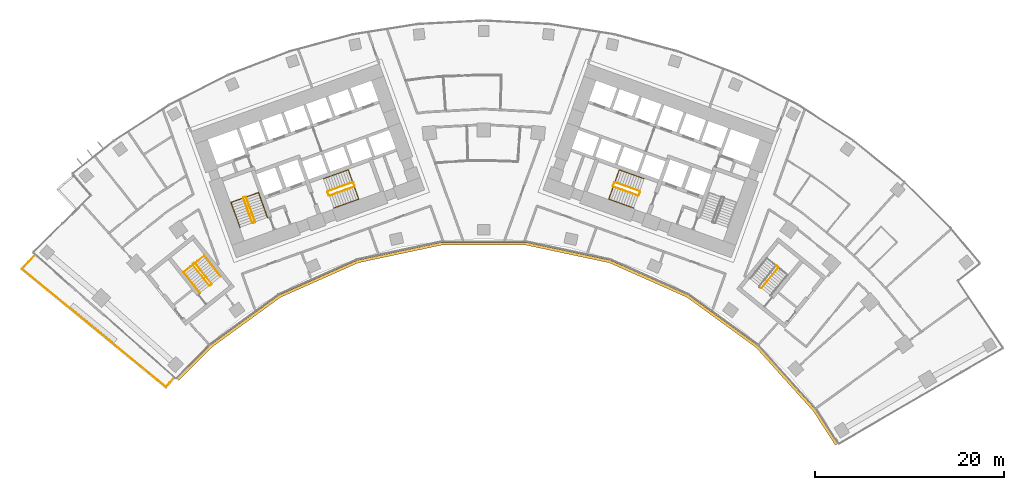
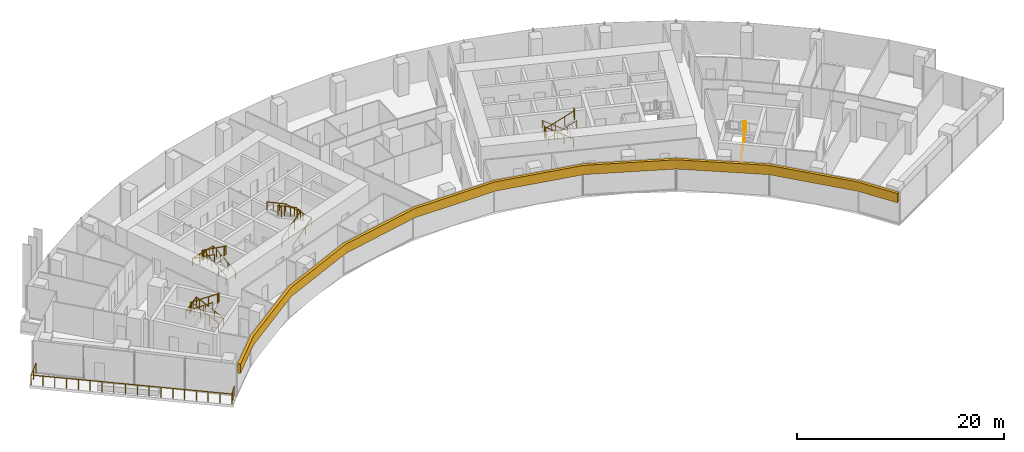
# One storey, part 20 of 21: 14 railings, 1 covering.
"""IFC4 building model written with IfcOpenShell, lengths in metres."""

from ifc_helpers import new_model, si_unit, direction, frame, origin, origin_2d, place, context, subcontext, project, spatial, polyline, circle, outline, extrude, material, layer, layer_set, type_object, element, save


model = new_model("IFC4")

# Units and contexts
model_context = context("Model", 3, precision=1e-05, world=origin(), true_north=direction((0.0, 1.0)))
body_context = subcontext(model_context, "Body", "Model", "MODEL_VIEW")
ifc_project = project(units=[si_unit("LENGTHUNIT", "METRE"), si_unit("AREAUNIT", "SQUARE_METRE"), si_unit("VOLUMEUNIT", "CUBIC_METRE"), si_unit("PLANEANGLEUNIT", "RADIAN"), si_unit("MASSUNIT", "GRAM", prefix="KILO")], contexts=[model_context])

# Site, building, storey
site_placement = place(None, origin())
site = spatial("IfcSite", under=ifc_project, at=site_placement, CompositionType="ELEMENT")
building_placement = place(site_placement, origin())
building = spatial("IfcBuilding", under=site, at=building_placement, Name="Stone Belt Terrace Tower", CompositionType="ELEMENT")
storey_placement = place(building_placement, frame((0.0, 0.0, 113.60009765625)))
storey = spatial("IfcBuildingStorey", under=building, at=storey_placement, Name="L27", CompositionType="ELEMENT", Elevation=113.60009765625)

# Railings
ifc_material_1 = material(Name="Structural steel C345", Category="steel")
railing_type_1 = type_object("IfcRailingType", Name="Stair guard 1100", PredefinedType="GUARDRAIL", material=ifc_material_1)
railing_1_placement = place(storey_placement, frame((-24.2119140625, 45.276123046875, 0.172607421875)))
element("IfcRailing", 1, at=railing_1_placement, inside=storey, type_object=railing_type_1, Name="L27 ST1A stair guard 1", PredefinedType="GUARDRAIL", context=body_context, shape_type="SweptSolid", body=[
    extrude(circle(Radius=0.02392578125, at=origin_2d()), frame((0.0, 0.0, 1.076171875), z_axis=(-0.288228637646, 0.800791768495, 0.525030280985), x_axis=(-0.940908529223, -0.338660803216, 0.0)), (0.0, 0.0, 1.0), 3.289794921875),
    extrude(circle(Radius=0.02392578125, at=origin_2d()), frame((-0.9482421875, 2.634521484375, 2.80322265625), z_axis=(-0.905209821074, 0.424964916, 0.0), x_axis=(-0.424964916, -0.905209821074, 0.0)), (0.0, 0.0, 1.0), 0.070556640625),
    extrude(circle(Radius=0.02392578125, at=origin_2d()), frame((-1.01220703125, 2.66455078125, 2.80322265625), z_axis=(-0.941105063269, -0.338114270461, 0.0), x_axis=(0.338114270461, -0.941105063269, 0.0)), (0.0, 0.0, 1.0), 0.199951171875),
    extrude(circle(Radius=0.02099609375, at=origin_2d()), origin(), (0.0, 0.0, 1.0), 1.052001953125),
    extrude(circle(Radius=0.02099609375, at=origin_2d()), frame((-0.316162109375, 0.878173828125, 0.57568359375)), (0.0, 0.0, 1.0), 1.052001953125),
    extrude(circle(Radius=0.02099609375, at=origin_2d()), frame((-0.632080078125, 1.75634765625, 1.151611328125)), (0.0, 0.0, 1.0), 1.052001953125),
    extrude(circle(Radius=0.02099609375, at=origin_2d()), frame((-0.9482421875, 2.634521484375, 1.727294921875)), (0.0, 0.0, 1.0), 1.052001953125),
    extrude(circle(Radius=0.02099609375, at=origin_2d()), frame((-1.01220703125, 2.66455078125, 1.727294921875)), (0.0, 0.0, 1.0), 1.052001953125),
    extrude(circle(Radius=0.02099609375, at=origin_2d()), frame((-1.200439453125, 2.596923828125, 1.727294921875)), (0.0, 0.0, 1.0), 1.052001953125),
])
railing_2_placement = place(storey_placement, frame((-25.4423828125, 47.80908203125, 2.072509765625)))
element("IfcRailing", 2, at=railing_2_placement, inside=storey, type_object=railing_type_1, Name="L27 ST1A stair guard 2", PredefinedType="GUARDRAIL", context=body_context, shape_type="SweptSolid", body=[
    extrude(circle(Radius=0.02392578125, at=origin_2d()), frame((0.0, 0.0, 1.076171875), z_axis=(0.288228637646, -0.800791768495, 0.525030280985), x_axis=(0.940908529223, 0.338660803216, 0.0)), (0.0, 0.0, 1.0), 3.289794921875),
    extrude(circle(Radius=0.02392578125, at=origin_2d()), frame((0.9482421875, -2.634521484375, 2.80322265625), z_axis=(0.903878284585, -0.427789722475, 0.0), x_axis=(0.427789722475, 0.903878284585, 0.0)), (0.0, 0.0, 1.0), 0.07080078125),
    extrude(circle(Radius=0.02392578125, at=origin_2d()), frame((1.01220703125, -2.664794921875, 2.80322265625), z_axis=(0.940575576748, 0.339584429008, 0.0), x_axis=(-0.339584429008, 0.940575576748, 0.0)), (0.0, 0.0, 1.0), 0.199951171875),
    extrude(circle(Radius=0.02099609375, at=origin_2d()), origin(), (0.0, 0.0, 1.0), 1.052001953125),
    extrude(circle(Radius=0.02099609375, at=origin_2d()), frame((0.316162109375, -0.878173828125, 0.57568359375)), (0.0, 0.0, 1.0), 1.052001953125),
    extrude(circle(Radius=0.02099609375, at=origin_2d()), frame((0.632080078125, -1.75634765625, 1.151611328125)), (0.0, 0.0, 1.0), 1.052001953125),
    extrude(circle(Radius=0.02099609375, at=origin_2d()), frame((0.9482421875, -2.634521484375, 1.727294921875)), (0.0, 0.0, 1.0), 1.052001953125),
    extrude(circle(Radius=0.02099609375, at=origin_2d()), frame((1.01220703125, -2.664794921875, 1.727294921875)), (0.0, 0.0, 1.0), 1.052001953125),
    extrude(circle(Radius=0.02099609375, at=origin_2d()), frame((1.2001953125, -2.596923828125, 1.727294921875)), (0.0, 0.0, 1.0), 1.052001953125),
])
railing_3_placement = place(storey_placement, frame((-16.33837890625, 48.056640625, 0.172607421875)))
element("IfcRailing", 3, at=railing_3_placement, inside=storey, type_object=railing_type_1, Name="L27 ST2A stair guard 1", PredefinedType="GUARDRAIL", context=body_context, shape_type="SweptSolid", body=[
    extrude(circle(Radius=0.02392578125, at=origin_2d()), frame((0.0, 0.0, 1.076171875), z_axis=(0.800808895155, 0.288160591223, 0.52504150989), x_axis=(-0.338583606334, 0.940936311087, 0.0)), (0.0, 0.0, 1.0), 3.289794921875),
    extrude(circle(Radius=0.02392578125, at=origin_2d()), frame((2.634521484375, 0.947998046875, 2.80322265625), z_axis=(0.427789722475, 0.903878284585, 0.0), x_axis=(-0.903878284585, 0.427789722475, 0.0)), (0.0, 0.0, 1.0), 0.07080078125),
    extrude(circle(Radius=0.02392578125, at=origin_2d()), frame((2.664794921875, 1.011962890625, 2.80322265625), z_axis=(-0.338654645739, 0.940910745459, 0.0), x_axis=(-0.940910745459, -0.338654645739, 0.0)), (0.0, 0.0, 1.0), 0.400146484375),
    extrude(circle(Radius=0.02099609375, at=origin_2d()), origin(), (0.0, 0.0, 1.0), 1.052001953125),
    extrude(circle(Radius=0.02099609375, at=origin_2d()), frame((0.878173828125, 0.31591796875, 0.57568359375)), (0.0, 0.0, 1.0), 1.052001953125),
    extrude(circle(Radius=0.02099609375, at=origin_2d()), frame((1.75634765625, 0.632080078125, 1.151611328125)), (0.0, 0.0, 1.0), 1.052001953125),
    extrude(circle(Radius=0.02099609375, at=origin_2d()), frame((2.634521484375, 0.947998046875, 1.727294921875)), (0.0, 0.0, 1.0), 1.052001953125),
    extrude(circle(Radius=0.02099609375, at=origin_2d()), frame((2.664794921875, 1.011962890625, 1.727294921875)), (0.0, 0.0, 1.0), 1.052001953125),
    extrude(circle(Radius=0.02099609375, at=origin_2d()), frame((2.529296875, 1.388427734375, 1.727294921875)), (0.0, 0.0, 1.0), 1.052001953125),
])
railing_4_placement = place(storey_placement, frame((-13.873046875, 49.47509765625, 2.072509765625)))
element("IfcRailing", 4, at=railing_4_placement, inside=storey, type_object=railing_type_1, Name="L27 ST2A stair guard 2", PredefinedType="GUARDRAIL", context=body_context, shape_type="SweptSolid", body=[
    extrude(circle(Radius=0.02392578125, at=origin_2d()), frame((0.0, 0.0, 1.076171875), z_axis=(-0.800808895155, -0.288160591223, 0.52504150989), x_axis=(0.338583606334, -0.940936311087, 0.0)), (0.0, 0.0, 1.0), 3.289794921875),
    extrude(circle(Radius=0.02392578125, at=origin_2d()), frame((-2.634521484375, -0.947998046875, 2.80322265625), z_axis=(-0.427789722475, -0.903878284585, 0.0), x_axis=(0.903878284585, -0.427789722475, 0.0)), (0.0, 0.0, 1.0), 0.07080078125),
    extrude(circle(Radius=0.02392578125, at=origin_2d()), frame((-2.664794921875, -1.011962890625, 2.80322265625), z_axis=(0.338654645739, -0.940910745459, 0.0), x_axis=(0.940910745459, 0.338654645739, 0.0)), (0.0, 0.0, 1.0), 0.400146484375),
    extrude(circle(Radius=0.02099609375, at=origin_2d()), origin(), (0.0, 0.0, 1.0), 1.052001953125),
    extrude(circle(Radius=0.02099609375, at=origin_2d()), frame((-0.878173828125, -0.31591796875, 0.57568359375)), (0.0, 0.0, 1.0), 1.052001953125),
    extrude(circle(Radius=0.02099609375, at=origin_2d()), frame((-1.75634765625, -0.632080078125, 1.151611328125)), (0.0, 0.0, 1.0), 1.052001953125),
    extrude(circle(Radius=0.02099609375, at=origin_2d()), frame((-2.634521484375, -0.947998046875, 1.727294921875)), (0.0, 0.0, 1.0), 1.052001953125),
    extrude(circle(Radius=0.02099609375, at=origin_2d()), frame((-2.664794921875, -1.011962890625, 1.727294921875)), (0.0, 0.0, 1.0), 1.052001953125),
    extrude(circle(Radius=0.02099609375, at=origin_2d()), frame((-2.529296875, -1.388427734375, 1.727294921875)), (0.0, 0.0, 1.0), 1.052001953125),
])
railing_5_placement = place(storey_placement, frame((16.507568359375, 48.527099609375, 0.172607421875)))
element("IfcRailing", 5, at=railing_5_placement, inside=storey, type_object=railing_type_1, Name="L27 ST2B stair guard 1", PredefinedType="GUARDRAIL", context=body_context, shape_type="SweptSolid", body=[
    extrude(circle(Radius=0.02392578125, at=origin_2d()), frame((0.0, 0.0, 1.076171875), z_axis=(-0.800808895155, 0.288160591223, 0.52504150989), x_axis=(-0.338583606334, -0.940936311087, 0.0)), (0.0, 0.0, 1.0), 3.289794921875),
    extrude(circle(Radius=0.02392578125, at=origin_2d()), frame((-2.634521484375, 0.947998046875, 2.80322265625), z_axis=(-0.905209821074, -0.424964916, 0.0), x_axis=(0.424964916, -0.905209821074, 0.0)), (0.0, 0.0, 1.0), 0.070556640625),
    extrude(circle(Radius=0.02392578125, at=origin_2d()), frame((-2.698486328125, 0.91796875, 2.80322265625), z_axis=(-0.338654645739, -0.940910745459, 0.0), x_axis=(0.940910745459, -0.338654645739, 0.0)), (0.0, 0.0, 1.0), 0.400146484375),
    extrude(circle(Radius=0.02099609375, at=origin_2d()), origin(), (0.0, 0.0, 1.0), 1.052001953125),
    extrude(circle(Radius=0.02099609375, at=origin_2d()), frame((-0.878173828125, 0.31591796875, 0.57568359375)), (0.0, 0.0, 1.0), 1.052001953125),
    extrude(circle(Radius=0.02099609375, at=origin_2d()), frame((-1.75634765625, 0.632080078125, 1.151611328125)), (0.0, 0.0, 1.0), 1.052001953125),
    extrude(circle(Radius=0.02099609375, at=origin_2d()), frame((-2.634521484375, 0.947998046875, 1.727294921875)), (0.0, 0.0, 1.0), 1.052001953125),
    extrude(circle(Radius=0.02099609375, at=origin_2d()), frame((-2.698486328125, 0.91796875, 1.727294921875)), (0.0, 0.0, 1.0), 1.052001953125),
    extrude(circle(Radius=0.02099609375, at=origin_2d()), frame((-2.833984375, 0.54150390625, 1.727294921875)), (0.0, 0.0, 1.0), 1.052001953125),
])
railing_6_placement = place(storey_placement, frame((13.703857421875, 49.004638671875, 2.072509765625)))
element("IfcRailing", 6, at=railing_6_placement, inside=storey, type_object=railing_type_1, Name="L27 ST2B stair guard 2", PredefinedType="GUARDRAIL", context=body_context, shape_type="SweptSolid", body=[
    extrude(circle(Radius=0.02392578125, at=origin_2d()), frame((0.0, 0.0, 1.076171875), z_axis=(0.800808895155, -0.288160591223, 0.52504150989), x_axis=(0.338583606334, 0.940936311087, 0.0)), (0.0, 0.0, 1.0), 3.289794921875),
    extrude(circle(Radius=0.02392578125, at=origin_2d()), frame((2.634521484375, -0.947998046875, 2.80322265625), z_axis=(0.905209821074, 0.424964916, 0.0), x_axis=(-0.424964916, 0.905209821074, 0.0)), (0.0, 0.0, 1.0), 0.070556640625),
    extrude(circle(Radius=0.02392578125, at=origin_2d()), frame((2.698486328125, -0.91796875, 2.80322265625), z_axis=(0.338654645739, 0.940910745459, 0.0), x_axis=(-0.940910745459, 0.338654645739, 0.0)), (0.0, 0.0, 1.0), 0.400146484375),
    extrude(circle(Radius=0.02099609375, at=origin_2d()), origin(), (0.0, 0.0, 1.0), 1.052001953125),
    extrude(circle(Radius=0.02099609375, at=origin_2d()), frame((0.878173828125, -0.31591796875, 0.57568359375)), (0.0, 0.0, 1.0), 1.052001953125),
    extrude(circle(Radius=0.02099609375, at=origin_2d()), frame((1.75634765625, -0.632080078125, 1.151611328125)), (0.0, 0.0, 1.0), 1.052001953125),
    extrude(circle(Radius=0.02099609375, at=origin_2d()), frame((2.634521484375, -0.947998046875, 1.727294921875)), (0.0, 0.0, 1.0), 1.052001953125),
    extrude(circle(Radius=0.02099609375, at=origin_2d()), frame((2.698486328125, -0.91796875, 1.727294921875)), (0.0, 0.0, 1.0), 1.052001953125),
    extrude(circle(Radius=0.02099609375, at=origin_2d()), frame((2.833984375, -0.54150390625, 1.727294921875)), (0.0, 0.0, 1.0), 1.052001953125),
])
railing_7_placement = place(storey_placement, frame((-28.814208984375, 38.734619140625, 0.172607421875)))
element("IfcRailing", 7, at=railing_7_placement, inside=storey, type_object=railing_type_1, Name="L27 ST3A stair guard 1", PredefinedType="GUARDRAIL", context=body_context, shape_type="SweptSolid", body=[
    extrude(circle(Radius=0.02392578125, at=origin_2d()), frame((0.0, 0.0, 1.076171875), z_axis=(-0.530306321799, 0.665665785969, 0.525037395288), x_axis=(-0.782143211408, -0.623098705543, 0.0)), (0.0, 0.0, 1.0), 3.289794921875),
    extrude(circle(Radius=0.02392578125, at=origin_2d()), frame((-1.74462890625, 2.18994140625, 2.80322265625), z_axis=(-0.993883734674, 0.110431526075, 0.0), x_axis=(-0.110431526075, -0.993883734674, 0.0)), (0.0, 0.0, 1.0), 0.07080078125),
    extrude(circle(Radius=0.02392578125, at=origin_2d()), frame((-1.81494140625, 2.19775390625, 2.80322265625), z_axis=(-0.782533463299, -0.622608527742, 0.0), x_axis=(0.622608527742, -0.782533463299, 0.0)), (0.0, 0.0, 1.0), 0.199951171875),
    extrude(circle(Radius=0.02099609375, at=origin_2d()), origin(), (0.0, 0.0, 1.0), 1.052001953125),
    extrude(circle(Radius=0.02099609375, at=origin_2d()), frame((-0.58154296875, 0.72998046875, 0.57568359375)), (0.0, 0.0, 1.0), 1.052001953125),
    extrude(circle(Radius=0.02099609375, at=origin_2d()), frame((-1.1630859375, 1.4599609375, 1.151611328125)), (0.0, 0.0, 1.0), 1.052001953125),
    extrude(circle(Radius=0.02099609375, at=origin_2d()), frame((-1.74462890625, 2.18994140625, 1.727294921875)), (0.0, 0.0, 1.0), 1.052001953125),
    extrude(circle(Radius=0.02099609375, at=origin_2d()), frame((-1.81494140625, 2.19775390625, 1.727294921875)), (0.0, 0.0, 1.0), 1.052001953125),
    extrude(circle(Radius=0.02099609375, at=origin_2d()), frame((-1.971435546875, 2.0732421875, 1.727294921875)), (0.0, 0.0, 1.0), 1.052001953125),
])
railing_8_placement = place(storey_placement, frame((-30.793701171875, 40.737548828125, 2.072509765625)))
element("IfcRailing", 8, at=railing_8_placement, inside=storey, type_object=railing_type_1, Name="L27 ST3A stair guard 2", PredefinedType="GUARDRAIL", context=body_context, shape_type="SweptSolid", body=[
    extrude(circle(Radius=0.02392578125, at=origin_2d()), frame((0.0, 0.0, 1.076171875), z_axis=(0.530359659125, -0.665639588968, 0.525016732659), x_axis=(0.782100716982, 0.62315204284, 0.0)), (0.0, 0.0, 1.0), 3.2900390625),
    extrude(circle(Radius=0.02392578125, at=origin_2d()), frame((1.744873046875, -2.18994140625, 2.80322265625), z_axis=(0.993499272973, -0.113838458361, 0.0), x_axis=(0.113838458361, 0.993499272973, 0.0)), (0.0, 0.0, 1.0), 0.07080078125),
    extrude(circle(Radius=0.02392578125, at=origin_2d()), frame((1.815185546875, -2.197998046875, 2.80322265625), z_axis=(0.781464082609, 0.623950228458, 0.0), x_axis=(-0.623950228458, 0.781464082609, 0.0)), (0.0, 0.0, 1.0), 0.199951171875),
    extrude(circle(Radius=0.02099609375, at=origin_2d()), origin(), (0.0, 0.0, 1.0), 1.052001953125),
    extrude(circle(Radius=0.02099609375, at=origin_2d()), frame((0.58154296875, -0.72998046875, 0.57568359375)), (0.0, 0.0, 1.0), 1.052001953125),
    extrude(circle(Radius=0.02099609375, at=origin_2d()), frame((1.163330078125, -1.4599609375, 1.151611328125)), (0.0, 0.0, 1.0), 1.052001953125),
    extrude(circle(Radius=0.02099609375, at=origin_2d()), frame((1.744873046875, -2.18994140625, 1.727294921875)), (0.0, 0.0, 1.0), 1.052001953125),
    extrude(circle(Radius=0.02099609375, at=origin_2d()), frame((1.815185546875, -2.197998046875, 1.727294921875)), (0.0, 0.0, 1.0), 1.052001953125),
    extrude(circle(Radius=0.02099609375, at=origin_2d()), frame((1.971435546875, -2.0732421875, 1.727294921875)), (0.0, 0.0, 1.0), 1.052001953125),
])
railing_9_placement = place(storey_placement, frame((29.39794921875, 38.281982421875, 0.172607421875)))
element("IfcRailing", 9, at=railing_9_placement, inside=storey, type_object=railing_type_1, Name="L27 ST3B stair guard 1", PredefinedType="GUARDRAIL", context=body_context, shape_type="SweptSolid", body=[
    extrude(circle(Radius=0.02392578125, at=origin_2d()), frame((0.0, 0.0, 1.076171875), z_axis=(0.536393061503, 0.660769759217, 0.525038864158), x_axis=(-0.776391310223, 0.630251166924, 0.0)), (0.0, 0.0, 1.0), 3.289794921875),
    extrude(circle(Radius=0.02392578125, at=origin_2d()), frame((1.7646484375, 2.173828125, 2.80322265625), z_axis=(-0.103251414163, 0.994655289773, 0.0), x_axis=(-0.994655289773, -0.103251414163, 0.0)), (0.0, 0.0, 1.0), 0.071044921875),
    extrude(circle(Radius=0.02392578125, at=origin_2d()), frame((1.75732421875, 2.244384765625, 2.80322265625), z_axis=(-0.776561986372, 0.630040856868, 0.0), x_axis=(-0.630040856868, -0.776561986372, 0.0)), (0.0, 0.0, 1.0), 0.199951171875),
    extrude(circle(Radius=0.02099609375, at=origin_2d()), origin(), (0.0, 0.0, 1.0), 1.052001953125),
    extrude(circle(Radius=0.02099609375, at=origin_2d()), frame((0.588134765625, 0.724609375, 0.57568359375)), (0.0, 0.0, 1.0), 1.052001953125),
    extrude(circle(Radius=0.02099609375, at=origin_2d()), frame((1.176513671875, 1.44921875, 1.151611328125)), (0.0, 0.0, 1.0), 1.052001953125),
    extrude(circle(Radius=0.02099609375, at=origin_2d()), frame((1.7646484375, 2.173828125, 1.727294921875)), (0.0, 0.0, 1.0), 1.052001953125),
    extrude(circle(Radius=0.02099609375, at=origin_2d()), frame((1.75732421875, 2.244384765625, 1.727294921875)), (0.0, 0.0, 1.0), 1.052001953125),
    extrude(circle(Radius=0.02099609375, at=origin_2d()), frame((1.60205078125, 2.370361328125, 1.727294921875)), (0.0, 0.0, 1.0), 1.052001953125),
])
railing_type_2 = type_object("IfcRailingType", Name="Stair handrail 900", PredefinedType="HANDRAIL", material=ifc_material_1)
railing_10_placement = place(storey_placement, frame((-22.894775390625, 45.750244140625, 0.172607421875)))
element("IfcRailing", 10, at=railing_10_placement, inside=storey, type_object=railing_type_2, Name="L27 ST1A stair handrail 1", PredefinedType="HANDRAIL", context=body_context, shape_type="SweptSolid", body=[
    extrude(circle(Radius=0.02392578125, at=origin_2d()), frame((0.0, 0.0, 0.8759765625), z_axis=(-0.288160591223, 0.800808895155, 0.52504150989), x_axis=(-0.940936311087, -0.338583606334, 0.0)), (0.0, 0.0, 1.0), 3.289794921875),
    extrude(circle(Radius=0.02392578125, at=origin_2d()), frame((-0.947998046875, 2.634521484375, 2.60302734375), z_axis=(-0.939464517435, -0.338106580597, 0.055591012205), x_axis=(0.338630230244, -0.940919532779, 0.0)), (0.0, 0.0, 1.0), 3.10498046875),
    extrude(circle(Radius=0.02392578125, at=origin_2d()), frame((-3.864990234375, 1.584716796875, 2.77587890625), z_axis=(0.288228637646, -0.800791768495, 0.525030280985), x_axis=(0.940908529223, 0.338660803216, 0.0)), (0.0, 0.0, 1.0), 3.289794921875),
    extrude(circle(Radius=0.02099609375, at=origin_2d()), origin(), (0.0, 0.0, 1.0), 0.851806640625),
    extrude(circle(Radius=0.02099609375, at=origin_2d()), frame((-0.31591796875, 0.878173828125, 0.57568359375)), (0.0, 0.0, 1.0), 0.851806640625),
    extrude(circle(Radius=0.02099609375, at=origin_2d()), frame((-0.632080078125, 1.75634765625, 1.151611328125)), (0.0, 0.0, 1.0), 0.851806640625),
    extrude(circle(Radius=0.02099609375, at=origin_2d()), frame((-0.947998046875, 2.634521484375, 1.727294921875)), (0.0, 0.0, 1.0), 0.851806640625),
    extrude(circle(Radius=0.02099609375, at=origin_2d()), frame((-1.92041015625, 2.28466796875, 1.784912109375)), (0.0, 0.0, 1.0), 0.851806640625),
    extrude(circle(Radius=0.02099609375, at=origin_2d()), frame((-2.892578125, 1.9345703125, 1.84228515625)), (0.0, 0.0, 1.0), 0.851806640625),
    extrude(circle(Radius=0.02099609375, at=origin_2d()), frame((-3.864990234375, 1.584716796875, 1.89990234375)), (0.0, 0.0, 1.0), 0.851806640625),
    extrude(circle(Radius=0.02099609375, at=origin_2d()), frame((-3.548828125, 0.70654296875, 2.4755859375)), (0.0, 0.0, 1.0), 0.851806640625),
    extrude(circle(Radius=0.02099609375, at=origin_2d()), frame((-3.23291015625, -0.171630859375, 3.051513671875)), (0.0, 0.0, 1.0), 0.851806640625),
    extrude(circle(Radius=0.02099609375, at=origin_2d()), frame((-2.916748046875, -1.0498046875, 3.627197265625)), (0.0, 0.0, 1.0), 0.851806640625),
])
railing_11_placement = place(storey_placement, frame((-15.8642578125, 46.7392578125, 0.172607421875)))
element("IfcRailing", 11, at=railing_11_placement, inside=storey, type_object=railing_type_2, Name="L27 ST2A stair handrail 1", PredefinedType="HANDRAIL", context=body_context, shape_type="SweptSolid", body=[
    extrude(circle(Radius=0.02392578125, at=origin_2d()), frame((0.0, 0.0, 0.8759765625), z_axis=(0.800791768495, 0.288228637646, 0.525030280985), x_axis=(-0.338660803216, 0.940908529223, 0.0)), (0.0, 0.0, 1.0), 3.289794921875),
    extrude(circle(Radius=0.02392578125, at=origin_2d()), frame((2.634521484375, 0.9482421875, 2.60302734375), z_axis=(-0.338160254016, 0.939637778147, 0.052234935458), x_axis=(-0.940922302781, -0.338622533404, 0.0)), (0.0, 0.0, 1.0), 3.304443359375),
    extrude(circle(Radius=0.02392578125, at=origin_2d()), frame((1.51708984375, 4.05322265625, 2.77587890625), z_axis=(-0.800791768495, -0.288228637646, 0.525030280985), x_axis=(0.338660803216, -0.940908529223, 0.0)), (0.0, 0.0, 1.0), 3.289794921875),
    extrude(circle(Radius=0.02099609375, at=origin_2d()), origin(), (0.0, 0.0, 1.0), 0.851806640625),
    extrude(circle(Radius=0.02099609375, at=origin_2d()), frame((0.878173828125, 0.316162109375, 0.57568359375)), (0.0, 0.0, 1.0), 0.851806640625),
    extrude(circle(Radius=0.02099609375, at=origin_2d()), frame((1.75634765625, 0.632080078125, 1.151611328125)), (0.0, 0.0, 1.0), 0.851806640625),
    extrude(circle(Radius=0.02099609375, at=origin_2d()), frame((2.634521484375, 0.9482421875, 1.727294921875)), (0.0, 0.0, 1.0), 0.851806640625),
    extrude(circle(Radius=0.02099609375, at=origin_2d()), frame((2.261962890625, 1.983154296875, 1.784912109375)), (0.0, 0.0, 1.0), 0.851806640625),
    extrude(circle(Radius=0.02099609375, at=origin_2d()), frame((1.8896484375, 3.018310546875, 1.84228515625)), (0.0, 0.0, 1.0), 0.851806640625),
    extrude(circle(Radius=0.02099609375, at=origin_2d()), frame((1.51708984375, 4.05322265625, 1.89990234375)), (0.0, 0.0, 1.0), 0.851806640625),
    extrude(circle(Radius=0.02099609375, at=origin_2d()), frame((0.638916015625, 3.737060546875, 2.4755859375)), (0.0, 0.0, 1.0), 0.851806640625),
    extrude(circle(Radius=0.02099609375, at=origin_2d()), frame((-0.2392578125, 3.421142578125, 3.051513671875)), (0.0, 0.0, 1.0), 0.851806640625),
    extrude(circle(Radius=0.02099609375, at=origin_2d()), frame((-1.117431640625, 3.10498046875, 3.627197265625)), (0.0, 0.0, 1.0), 0.851806640625),
])
railing_12_placement = place(storey_placement, frame((16.981689453125, 49.84423828125, 0.172607421875)))
element("IfcRailing", 12, at=railing_12_placement, inside=storey, type_object=railing_type_2, Name="L27 ST2B stair handrail 1", PredefinedType="HANDRAIL", context=body_context, shape_type="SweptSolid", body=[
    extrude(circle(Radius=0.02392578125, at=origin_2d()), frame((0.0, 0.0, 0.8759765625), z_axis=(-0.800791768495, 0.288228637646, 0.525030280985), x_axis=(-0.338660803216, -0.940908529223, 0.0)), (0.0, 0.0, 1.0), 3.289794921875),
    extrude(circle(Radius=0.02392578125, at=origin_2d()), frame((-2.634521484375, 0.9482421875, 2.60302734375), z_axis=(-0.338160254016, -0.939637778147, 0.052234935458), x_axis=(0.940922302781, -0.338622533404, 0.0)), (0.0, 0.0, 1.0), 3.304443359375),
    extrude(circle(Radius=0.02392578125, at=origin_2d()), frame((-3.751953125, -2.15673828125, 2.77587890625), z_axis=(0.800791768495, -0.288228637646, 0.525030280985), x_axis=(0.338660803216, 0.940908529223, 0.0)), (0.0, 0.0, 1.0), 3.289794921875),
    extrude(circle(Radius=0.02099609375, at=origin_2d()), origin(), (0.0, 0.0, 1.0), 0.851806640625),
    extrude(circle(Radius=0.02099609375, at=origin_2d()), frame((-0.878173828125, 0.316162109375, 0.57568359375)), (0.0, 0.0, 1.0), 0.851806640625),
    extrude(circle(Radius=0.02099609375, at=origin_2d()), frame((-1.75634765625, 0.632080078125, 1.151611328125)), (0.0, 0.0, 1.0), 0.851806640625),
    extrude(circle(Radius=0.02099609375, at=origin_2d()), frame((-2.634521484375, 0.9482421875, 1.727294921875)), (0.0, 0.0, 1.0), 0.851806640625),
    extrude(circle(Radius=0.02099609375, at=origin_2d()), frame((-3.007080078125, -0.086669921875, 1.784912109375)), (0.0, 0.0, 1.0), 0.851806640625),
    extrude(circle(Radius=0.02099609375, at=origin_2d()), frame((-3.37939453125, -1.121826171875, 1.84228515625)), (0.0, 0.0, 1.0), 0.851806640625),
    extrude(circle(Radius=0.02099609375, at=origin_2d()), frame((-3.751953125, -2.15673828125, 1.89990234375)), (0.0, 0.0, 1.0), 0.851806640625),
    extrude(circle(Radius=0.02099609375, at=origin_2d()), frame((-2.873779296875, -2.472900390625, 2.4755859375)), (0.0, 0.0, 1.0), 0.851806640625),
    extrude(circle(Radius=0.02099609375, at=origin_2d()), frame((-1.99560546875, -2.788818359375, 3.051513671875)), (0.0, 0.0, 1.0), 0.851806640625),
    extrude(circle(Radius=0.02099609375, at=origin_2d()), frame((-1.117431640625, -3.10498046875, 3.627197265625)), (0.0, 0.0, 1.0), 0.851806640625),
])
railing_13_placement = place(storey_placement, frame((-27.836669921875, 39.513427734375, 0.172607421875)))
element("IfcRailing", 13, at=railing_13_placement, inside=storey, type_object=railing_type_2, Name="L27 ST3A stair handrail 1", PredefinedType="HANDRAIL", context=body_context, shape_type="SweptSolid", body=[
    extrude(circle(Radius=0.02392578125, at=origin_2d()), frame((0.0, 0.0, 0.8759765625), z_axis=(-0.530306321799, 0.665665785969, 0.525037395288), x_axis=(-0.782143211408, -0.623098705543, 0.0)), (0.0, 0.0, 1.0), 3.289794921875),
    extrude(circle(Radius=0.02392578125, at=origin_2d()), frame((-1.74462890625, 2.18994140625, 2.60302734375), z_axis=(-0.780661215256, -0.62191806513, 0.061530376721), x_axis=(0.623098705543, -0.782143211408, 0.0)), (0.0, 0.0, 1.0), 2.80517578125),
    extrude(circle(Radius=0.02392578125, at=origin_2d()), frame((-3.9345703125, 0.4453125, 2.77587890625), z_axis=(0.530306321799, -0.665665785969, 0.525037395288), x_axis=(0.782143211408, 0.623098705543, 0.0)), (0.0, 0.0, 1.0), 3.289794921875),
    extrude(circle(Radius=0.02099609375, at=origin_2d()), origin(), (0.0, 0.0, 1.0), 0.851806640625),
    extrude(circle(Radius=0.02099609375, at=origin_2d()), frame((-0.58154296875, 0.72998046875, 0.57568359375)), (0.0, 0.0, 1.0), 0.851806640625),
    extrude(circle(Radius=0.02099609375, at=origin_2d()), frame((-1.1630859375, 1.4599609375, 1.151611328125)), (0.0, 0.0, 1.0), 0.851806640625),
    extrude(circle(Radius=0.02099609375, at=origin_2d()), frame((-1.74462890625, 2.18994140625, 1.727294921875)), (0.0, 0.0, 1.0), 0.851806640625),
    extrude(circle(Radius=0.02099609375, at=origin_2d()), frame((-2.474609375, 1.6083984375, 1.784912109375)), (0.0, 0.0, 1.0), 0.851806640625),
    extrude(circle(Radius=0.02099609375, at=origin_2d()), frame((-3.20458984375, 1.02685546875, 1.84228515625)), (0.0, 0.0, 1.0), 0.851806640625),
    extrude(circle(Radius=0.02099609375, at=origin_2d()), frame((-3.9345703125, 0.4453125, 1.89990234375)), (0.0, 0.0, 1.0), 0.851806640625),
    extrude(circle(Radius=0.02099609375, at=origin_2d()), frame((-3.35302734375, -0.28466796875, 2.4755859375)), (0.0, 0.0, 1.0), 0.851806640625),
    extrude(circle(Radius=0.02099609375, at=origin_2d()), frame((-2.771484375, -1.0146484375, 3.051513671875)), (0.0, 0.0, 1.0), 0.851806640625),
    extrude(circle(Radius=0.02099609375, at=origin_2d()), frame((-2.18994140625, -1.74462890625, 3.627197265625)), (0.0, 0.0, 1.0), 0.851806640625),
])
ifc_material_2 = material(Name="Stainless steel AISI 304", Category="steel")
railing_type_3 = type_object("IfcRailingType", Name="Terrace guard 1200", PredefinedType="GUARDRAIL", material=ifc_material_2)
railing_14_placement = place(storey_placement, frame((-47.49658203125, 41.75439453125, 0.0)))
element("IfcRailing", 14, at=railing_14_placement, inside=storey, type_object=railing_type_3, Name="GUARD L27 1.1", PredefinedType="GUARDRAIL", context=body_context, shape_type="SweptSolid", body=[
    extrude(circle(Radius=0.02490234375, at=origin_2d()), frame((0.0, 0.0, 1.1748046875), z_axis=(-0.685148026203, -0.728403859264, 0.0), x_axis=(0.728403859264, -0.685148026203, 0.0)), (0.0, 0.0, 1.0), 2.003662109375),
    extrude(circle(Radius=0.02490234375, at=origin_2d()), frame((-1.372802734375, -1.45947265625, 1.1748046875), z_axis=(0.773049519866, -0.634345678502, 0.0), x_axis=(0.634345678502, 0.773049519866, 0.0)), (0.0, 0.0, 1.0), 19.692626953125),
    extrude(circle(Radius=0.02490234375, at=origin_2d()), frame((13.8505859375, -13.951416015625, 1.1748046875), z_axis=(0.651993467836, 0.758224582758, 0.0), x_axis=(-0.758224582758, 0.651993467836, 0.0)), (0.0, 0.0, 1.0), 1.287109375),
    extrude(circle(Radius=0.02001953125, at=origin_2d()), origin(), (0.0, 0.0, 1.0), 1.14990234375),
    extrude(circle(Radius=0.02001953125, at=origin_2d()), frame((-0.6865234375, -0.729736328125, 0.0)), (0.0, 0.0, 1.0), 1.14990234375),
    extrude(circle(Radius=0.02001953125, at=origin_2d()), frame((-1.372802734375, -1.45947265625, 0.0)), (0.0, 0.0, 1.0), 1.14990234375),
    extrude(circle(Radius=0.02001953125, at=origin_2d()), frame((-0.477294921875, -2.1943359375, 0.0)), (0.0, 0.0, 1.0), 1.14990234375),
    extrude(circle(Radius=0.02001953125, at=origin_2d()), frame((0.418212890625, -2.92919921875, 0.0)), (0.0, 0.0, 1.0), 1.14990234375),
    extrude(circle(Radius=0.02001953125, at=origin_2d()), frame((1.313720703125, -3.663818359375, 0.0)), (0.0, 0.0, 1.0), 1.14990234375),
    extrude(circle(Radius=0.02001953125, at=origin_2d()), frame((2.209228515625, -4.398681640625, 0.0)), (0.0, 0.0, 1.0), 1.14990234375),
    extrude(circle(Radius=0.02001953125, at=origin_2d()), frame((3.104736328125, -5.133544921875, 0.0)), (0.0, 0.0, 1.0), 1.14990234375),
    extrude(circle(Radius=0.02001953125, at=origin_2d()), frame((4.000244140625, -5.868408203125, 0.0)), (0.0, 0.0, 1.0), 1.14990234375),
    extrude(circle(Radius=0.02001953125, at=origin_2d()), frame((4.895751953125, -6.603271484375, 0.0)), (0.0, 0.0, 1.0), 1.14990234375),
    extrude(circle(Radius=0.02001953125, at=origin_2d()), frame((5.791259765625, -7.338134765625, 0.0)), (0.0, 0.0, 1.0), 1.14990234375),
    extrude(circle(Radius=0.02001953125, at=origin_2d()), frame((6.6865234375, -8.07275390625, 0.0)), (0.0, 0.0, 1.0), 1.14990234375),
    extrude(circle(Radius=0.02001953125, at=origin_2d()), frame((7.58203125, -8.8076171875, 0.0)), (0.0, 0.0, 1.0), 1.14990234375),
    extrude(circle(Radius=0.02001953125, at=origin_2d()), frame((8.4775390625, -9.54248046875, 0.0)), (0.0, 0.0, 1.0), 1.14990234375),
    extrude(circle(Radius=0.02001953125, at=origin_2d()), frame((9.373046875, -10.27734375, 0.0)), (0.0, 0.0, 1.0), 1.14990234375),
    extrude(circle(Radius=0.02001953125, at=origin_2d()), frame((10.2685546875, -11.01220703125, 0.0)), (0.0, 0.0, 1.0), 1.14990234375),
    extrude(circle(Radius=0.02001953125, at=origin_2d()), frame((11.1640625, -11.7470703125, 0.0)), (0.0, 0.0, 1.0), 1.14990234375),
    extrude(circle(Radius=0.02001953125, at=origin_2d()), frame((12.0595703125, -12.481689453125, 0.0)), (0.0, 0.0, 1.0), 1.14990234375),
    extrude(circle(Radius=0.02001953125, at=origin_2d()), frame((12.955078125, -13.216552734375, 0.0)), (0.0, 0.0, 1.0), 1.14990234375),
    extrude(circle(Radius=0.02001953125, at=origin_2d()), frame((13.8505859375, -13.951416015625, 0.0)), (0.0, 0.0, 1.0), 1.14990234375),
    extrude(circle(Radius=0.02001953125, at=origin_2d()), frame((14.27001953125, -13.46337890625, 0.0)), (0.0, 0.0, 1.0), 1.14990234375),
    extrude(circle(Radius=0.02001953125, at=origin_2d()), frame((14.689697265625, -12.9755859375, 0.0)), (0.0, 0.0, 1.0), 1.14990234375),
])

# Covering
ifc_material_3 = material(Name="Terracotta coloured glazed ceramic", Category="masonry")
ifc_layer = layer(ifc_material_3, 0.300048828125)
ifc_layer_set = layer_set([ifc_layer], Name="Terracotta spandrel band 300 x 1100")
covering_type = type_object("IfcCoveringType", Name="Terracotta spandrel band 300 x 1100", PredefinedType="CLADDING", material=ifc_layer_set)
covering_placement = place(storey_placement, frame((0.0, 0.0, 2.699951171875)))
element("IfcCovering", 15, at=covering_placement, inside=storey, type_object=covering_type, Name="BAND L27", PredefinedType="CLADDING", context=body_context, shape_type="SweptSolid", body=[
    extrude(outline(polyline([(-32.49560546875, 28.692626953125), (-29.00927734375, 32.212646484375), (-21.674560546875, 37.54150390625), (-13.395751953125, 41.2275390625), (-4.53125, 43.11181640625), (4.53125, 43.11181640625), (13.395751953125, 41.2275390625), (21.674560546875, 37.54150390625), (29.00634765625, 32.214599609375), (35.072998046875, 25.47705078125), (37.46875, 21.802001953125), (37.217529296875, 21.63818359375), (34.83447265625, 25.29345703125), (28.804443359375, 31.990478515625), (21.523681640625, 37.2802734375), (13.302490234375, 40.940673828125), (4.499755859375, 42.811767578125), (-4.499755859375, 42.811767578125), (-13.302490234375, 40.940673828125), (-21.523681640625, 37.2802734375), (-28.813232421875, 31.984130859375), (-32.282470703125, 28.481689453125), (-32.49560546875, 28.692626953125)])), origin(), (0.0, 0.0, 1.0), 1.099853515625),
])

save(model, "model.ifc")
